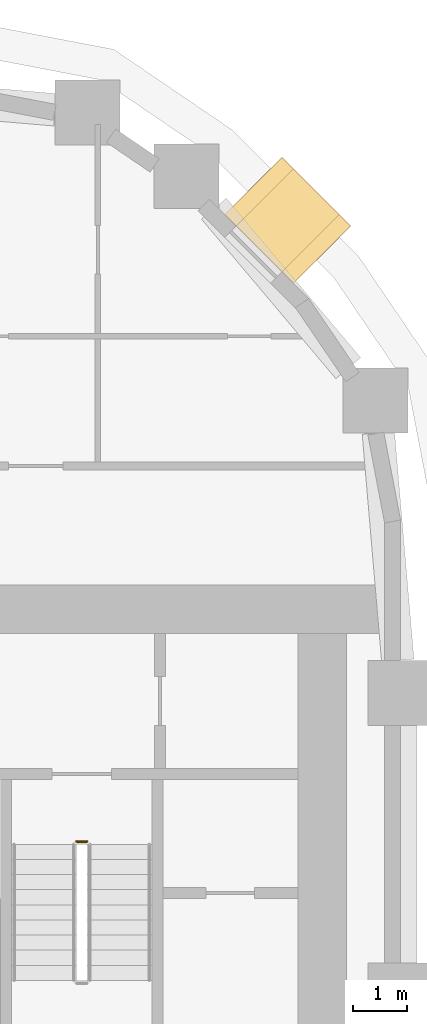
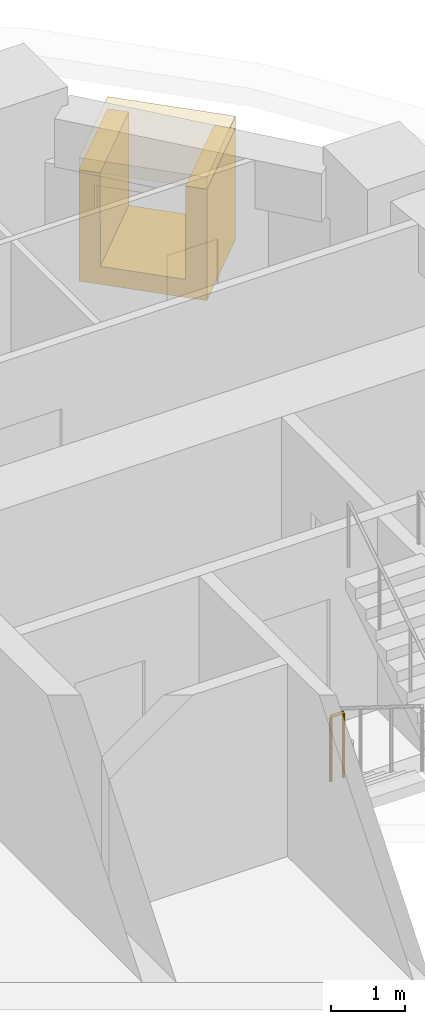
# One storey, part 22 of 22: 2 coverings, 1 railing.
"""IFC4 building model written with IfcOpenShell, lengths in metres."""

from ifc_helpers import new_model, si_unit, direction, frame, origin, origin_2d, place, context, subcontext, project, spatial, polyline, rectangle, circle, outline, extrude, material, layer, layer_set, type_object, element, save


model = new_model("IFC4")

# Units and contexts
model_context = context("Model", 3, precision=1e-05, world=origin(), true_north=direction((0.0, 1.0)))
body_context = subcontext(model_context, "Body", "Model", "MODEL_VIEW")
ifc_project = project(units=[si_unit("LENGTHUNIT", "METRE"), si_unit("AREAUNIT", "SQUARE_METRE"), si_unit("VOLUMEUNIT", "CUBIC_METRE"), si_unit("PLANEANGLEUNIT", "RADIAN"), si_unit("MASSUNIT", "GRAM", prefix="KILO")], contexts=[model_context])

# Site, building, storey
site_placement = place(None, origin())
site = spatial("IfcSite", under=ifc_project, at=site_placement, CompositionType="ELEMENT")
building_placement = place(site_placement, origin())
building = spatial("IfcBuilding", under=site, at=building_placement, Name="Kiln Ring Residences", CompositionType="ELEMENT")
storey_placement = place(building_placement, frame((0.0, 0.0, 111.300048828125)))
storey = spatial("IfcBuildingStorey", under=building, at=storey_placement, Name="L28", CompositionType="ELEMENT", Elevation=111.300048828125)

# Railing
ifc_material_1 = material(Name="Stainless steel", Category="steel")
railing_type = type_object("IfcRailingType", Name="CORE-STAIR-GUARD", PredefinedType="GUARDRAIL", material=ifc_material_1)
railing_placement = place(storey_placement, frame((22.0, 8.449951171875, 0.0)))
element("IfcRailing", 1, at=railing_placement, inside=storey, type_object=railing_type, Name="L28 E-STN stair guard 4", PredefinedType="GUARDRAIL", context=body_context, shape_type="SweptSolid", body=[
    extrude(circle(Radius=0.02392578125, at=origin_2d()), frame((0.0, 0.0, 1.076171875), z_axis=(1.0, 0.0, 0.0), x_axis=(0.0, 1.0, 0.0)), (0.0, 0.0, 1.0), 0.199951171875),
    extrude(circle(Radius=0.02099609375, at=origin_2d()), origin(), (0.0, 0.0, 1.0), 1.052001953125),
    extrude(circle(Radius=0.02099609375, at=origin_2d()), frame((0.199951171875, 0.0, 0.0)), (0.0, 0.0, 1.0), 1.052001953125),
])

# Coverings
ifc_material_2 = material(Name="Brick masonry, dark clay brick", Category="masonry")
ifc_layer_1 = layer(ifc_material_2, 0.300048828125)
ifc_layer_set_1 = layer_set([ifc_layer_1], Name="FRAME CHEEKS AND SILL 1500")
covering_type_1 = type_object("IfcCoveringType", Name="FRAME CHEEKS AND SILL 1500", PredefinedType="CLADDING", material=ifc_layer_set_1)
covering_1_placement = place(storey_placement, frame((26.550537109375, 19.310302734375, 0.300048828125), z_axis=(0.0, 0.0, 1.0), x_axis=(-0.707174592913, 0.707038962956, 0.0)))
element("IfcCovering", 2, at=covering_1_placement, inside=storey, type_object=covering_type_1, Name="FRAME L28", PredefinedType="CLADDING", context=body_context, shape_type="SweptSolid", body=[
    extrude(outline(polyline([(0.0, 0.0), (1.800048828125, 0.0), (1.800048828125, 1.849853515625), (1.5009765625, 1.849853515625), (1.5, 0.2998046875), (0.300048828125, 0.2998046875), (0.299072265625, 1.849853515625), (0.0, 1.849853515625), (0.0, 0.0)])), frame((0.0, 0.75, 0.0), z_axis=(0.0, -1.0, 0.0), x_axis=(1.0, 0.0, 0.0)), (0.0, 0.0, 1.0), 1.5),
])
ifc_material_3 = material(Name="Brick masonry, dark clay brick", Category="masonry")
ifc_layer_2 = layer(ifc_material_3, 0.199951171875)
ifc_layer_set_2 = layer_set([ifc_layer_2], Name="FRAME HEAD 1500")
covering_type_2 = type_object("IfcCoveringType", Name="FRAME HEAD 1500", PredefinedType="CLADDING", material=ifc_layer_set_2)
covering_2_placement = place(storey_placement, frame((25.9140625, 19.946533203125, 2.14990234375), z_axis=(0.0, 0.0, 1.0), x_axis=(-0.707106781187, 0.707106781187, 0.0)))
element("IfcCovering", 3, at=covering_2_placement, inside=storey, type_object=covering_type_2, Name="FRAME HEAD L28", PredefinedType="CLADDING", context=body_context, shape_type="SweptSolid", body=[
    extrude(rectangle(XDim=1.800048828125, YDim=1.5, at=origin_2d()), origin(), (0.0, 0.0, 1.0), 0.199951171875),
])

save(model, "model.ifc")
